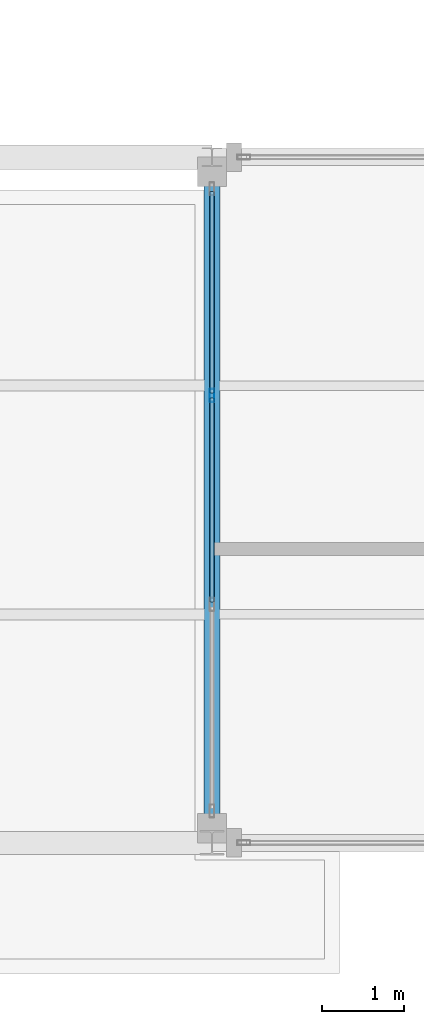
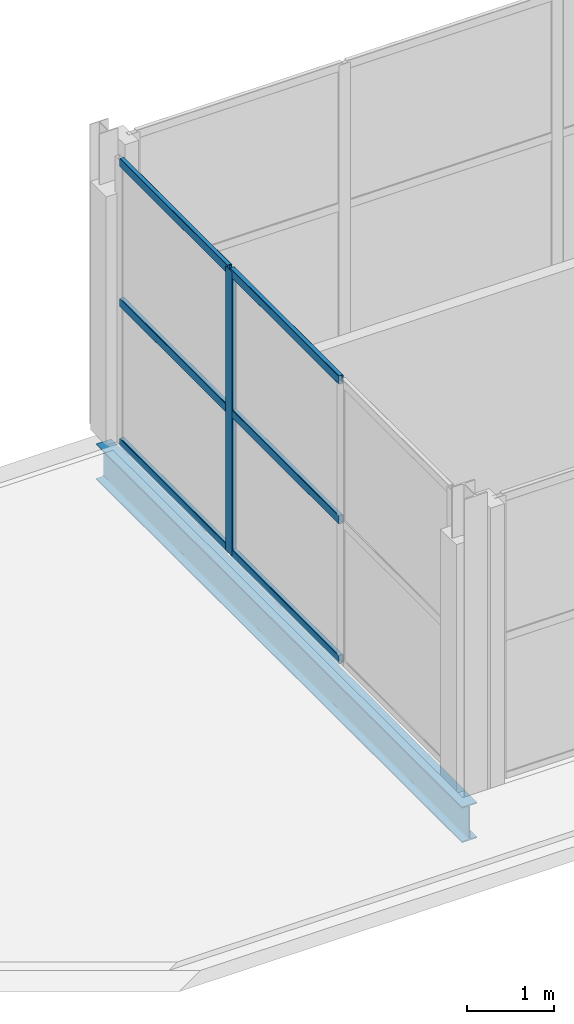
# One storey, part 63 of 93: 7 members, 1 beam, 1 element without a shape of its own.
"""IFC4 building model written with IfcOpenShell, lengths in metres."""

from ifc_helpers import new_model, si_unit, direction, frame, origin, origin_2d, place, context, subcontext, project, spatial, hollow_rectangle, i_section, extrude, material, layer, layer_set, material_profile, profile_set, type_object, element, aggregate, save


model = new_model("IFC4")

# Units and contexts
model_context = context("Model", 3, precision=1e-05, world=origin(), true_north=direction((0.0, 1.0)))
body_context = subcontext(model_context, "Body", "Model", "MODEL_VIEW")
ifc_project = project(units=[si_unit("LENGTHUNIT", "METRE"), si_unit("AREAUNIT", "SQUARE_METRE"), si_unit("VOLUMEUNIT", "CUBIC_METRE"), si_unit("PLANEANGLEUNIT", "RADIAN"), si_unit("MASSUNIT", "GRAM", prefix="KILO")], contexts=[model_context])

# Site, building, storey
site_placement = place(None, origin())
site = spatial("IfcSite", under=ifc_project, at=site_placement, CompositionType="ELEMENT")
building_placement = place(site_placement, origin())
building = spatial("IfcBuilding", under=site, at=building_placement, Name="Vekula Escarpment Museum", CompositionType="ELEMENT")
storey_placement = place(building_placement, frame((0.0, 0.0, 22.199951171875)))
storey = spatial("IfcBuildingStorey", under=building, at=storey_placement, Name="L05", CompositionType="ELEMENT", Elevation=22.199951171875)

# Beam
ifc_material_1 = material(Name="Steel S355", Category="steel")
ifc_material_profile_1 = material_profile(ifc_material_1, i_section(OverallWidth=0.199951171875, OverallDepth=0.5, WebThickness=0.01025390625, FlangeThickness=0.01611328125, FilletRadius=0.02099609375, at=origin_2d()), Name="IPE 500")
ifc_profile_set_1 = profile_set([ifc_material_profile_1], Name="Steel S355")
beam_type = type_object("IfcBeamType", Name="BM-GIRD-IPE500", PredefinedType="BEAM", material=ifc_profile_set_1)
beam_placement = place(storey_placement, frame((155.0, 68.0, -0.469970703125), z_axis=(0.0, 1.0, 0.0), x_axis=(-1.0, 0.0, 0.0)))
element("IfcBeam", 1, at=beam_placement, inside=storey, type_object=beam_type, Name="Beam Y L05 2156", PredefinedType="BEAM", context=body_context, shape_type="SweptSolid", body=[
    extrude(i_section(OverallWidth=0.199951171875, OverallDepth=0.5, WebThickness=0.01025390625, FlangeThickness=0.01611328125, FilletRadius=0.02099609375, at=origin_2d()), origin(), (0.0, 0.0, 1.0), 8.39990234375),
])

# Curtain wall, members
ifc_material_2 = material(Name="Aluminium thermally broken framing", Category="aluminium")
ifc_layer = layer(ifc_material_2, 0.199951171875)
ifc_layer_set = layer_set([ifc_layer], Name="Aluminium thermally broken framing")
curtain_wall_type = type_object("IfcCurtainWallType", Name="CW-SYS-04", PredefinedType="NOTDEFINED", material=ifc_layer_set)
curtain_wall_placement = place(storey_placement, origin())
curtain_wall = element("IfcCurtainWall", 2, at=curtain_wall_placement, inside=storey, type_object=curtain_wall_type, Name="Curtain Wall CW-L05-184", PredefinedType="NOTDEFINED")
ifc_material_3 = material(Name="Aluminium anodized mullion", Category="aluminium")
ifc_material_profile_2 = material_profile(ifc_material_3, hollow_rectangle(XDim=0.06005859375, YDim=0.159912109375, WallThickness=0.00390625, InnerFilletRadius=0.00390625, OuterFilletRadius=0.008056640625, at=origin_2d()), Name="ALU 160x60x4")
ifc_profile_set_2 = profile_set([ifc_material_profile_2], Name="Aluminium anodized mullion")
member_type_1 = type_object("IfcMemberType", Name="CW-MUL-160", PredefinedType="MULLION", material=ifc_profile_set_2)
member_1_placement = place(storey_placement, frame((155.0, 73.47998046875, 0.0), z_axis=(0.0, 0.0, 1.0), x_axis=(1.0, 0.0, 0.0)))
member_1 = element("IfcMember", 3, at=member_1_placement, type_object=member_type_1, Name="CW-04 mullion 2", PredefinedType="MULLION", context=body_context, shape_type="SweptSolid", body=[
    extrude(hollow_rectangle(XDim=0.06005859375, YDim=0.159912109375, WallThickness=0.00390625, InnerFilletRadius=0.00390625, OuterFilletRadius=0.008056640625, at=origin_2d()), origin(), (0.0, 0.0, 1.0), 3.97998046875),
])
ifc_material_4 = material(Name="Aluminium anodized transom", Category="aluminium")
ifc_material_profile_3 = material_profile(ifc_material_4, hollow_rectangle(XDim=0.06005859375, YDim=0.1201171875, WallThickness=0.00390625, InnerFilletRadius=0.00390625, OuterFilletRadius=0.008056640625, at=origin_2d()), Name="ALU 120x60x4")
ifc_profile_set_3 = profile_set([ifc_material_profile_3], Name="Aluminium anodized transom")
member_type_2 = type_object("IfcMemberType", Name="CW-TRN-120", PredefinedType="USERDEFINED", material=ifc_profile_set_3)
member_2_placement = place(storey_placement, frame((155.0, 75.97998046875, 0.030029296875), z_axis=(0.0, -1.0, 0.0), x_axis=(1.0, 0.0, 0.0)))
member_2 = element("IfcMember", 4, at=member_2_placement, type_object=member_type_2, Name="CW-04 transom 1.1", ObjectType="TRANSOM", PredefinedType="USERDEFINED", context=body_context, shape_type="SweptSolid", body=[
    extrude(hollow_rectangle(XDim=0.06005859375, YDim=0.1201171875, WallThickness=0.00390625, InnerFilletRadius=0.00390625, OuterFilletRadius=0.008056640625, at=origin_2d()), origin(), (0.0, 0.0, 1.0), 2.469970703125),
])
member_3_placement = place(storey_placement, frame((155.0, 75.97998046875, 1.989990234375), z_axis=(0.0, -1.0, 0.0), x_axis=(1.0, 0.0, 0.0)))
member_3 = element("IfcMember", 5, at=member_3_placement, type_object=member_type_2, Name="CW-04 transom 1.2", ObjectType="TRANSOM", PredefinedType="USERDEFINED", context=body_context, shape_type="SweptSolid", body=[
    extrude(hollow_rectangle(XDim=0.06005859375, YDim=0.1201171875, WallThickness=0.00390625, InnerFilletRadius=0.00390625, OuterFilletRadius=0.008056640625, at=origin_2d()), origin(), (0.0, 0.0, 1.0), 2.469970703125),
])
member_4_placement = place(storey_placement, frame((155.0, 75.97998046875, 3.949951171875), z_axis=(0.0, -1.0, 0.0), x_axis=(1.0, 0.0, 0.0)))
member_4 = element("IfcMember", 6, at=member_4_placement, type_object=member_type_2, Name="CW-04 transom 1.3", ObjectType="TRANSOM", PredefinedType="USERDEFINED", context=body_context, shape_type="SweptSolid", body=[
    extrude(hollow_rectangle(XDim=0.06005859375, YDim=0.1201171875, WallThickness=0.00390625, InnerFilletRadius=0.00390625, OuterFilletRadius=0.008056640625, at=origin_2d()), origin(), (0.0, 0.0, 1.0), 2.469970703125),
])
member_5_placement = place(storey_placement, frame((155.0, 73.449951171875, 0.030029296875), z_axis=(0.0, -1.0, 0.0), x_axis=(1.0, 0.0, 0.0)))
member_5 = element("IfcMember", 7, at=member_5_placement, type_object=member_type_2, Name="CW-04 transom 2.1", ObjectType="TRANSOM", PredefinedType="USERDEFINED", context=body_context, shape_type="SweptSolid", body=[
    extrude(hollow_rectangle(XDim=0.06005859375, YDim=0.1201171875, WallThickness=0.00390625, InnerFilletRadius=0.00390625, OuterFilletRadius=0.008056640625, at=origin_2d()), origin(), (0.0, 0.0, 1.0), 2.5),
])
member_6_placement = place(storey_placement, frame((155.0, 73.449951171875, 1.989990234375), z_axis=(0.0, -1.0, 0.0), x_axis=(1.0, 0.0, 0.0)))
member_6 = element("IfcMember", 8, at=member_6_placement, type_object=member_type_2, Name="CW-04 transom 2.2", ObjectType="TRANSOM", PredefinedType="USERDEFINED", context=body_context, shape_type="SweptSolid", body=[
    extrude(hollow_rectangle(XDim=0.06005859375, YDim=0.1201171875, WallThickness=0.00390625, InnerFilletRadius=0.00390625, OuterFilletRadius=0.008056640625, at=origin_2d()), origin(), (0.0, 0.0, 1.0), 2.5),
])
member_7_placement = place(storey_placement, frame((155.0, 73.449951171875, 3.949951171875), z_axis=(0.0, -1.0, 0.0), x_axis=(1.0, 0.0, 0.0)))
member_7 = element("IfcMember", 9, at=member_7_placement, type_object=member_type_2, Name="CW-04 transom 2.3", ObjectType="TRANSOM", PredefinedType="USERDEFINED", context=body_context, shape_type="SweptSolid", body=[
    extrude(hollow_rectangle(XDim=0.06005859375, YDim=0.1201171875, WallThickness=0.00390625, InnerFilletRadius=0.00390625, OuterFilletRadius=0.008056640625, at=origin_2d()), origin(), (0.0, 0.0, 1.0), 2.5),
])
aggregate(curtain_wall, [member_1, member_2, member_3, member_4, member_5, member_6, member_7])

save(model, "model.ifc")
